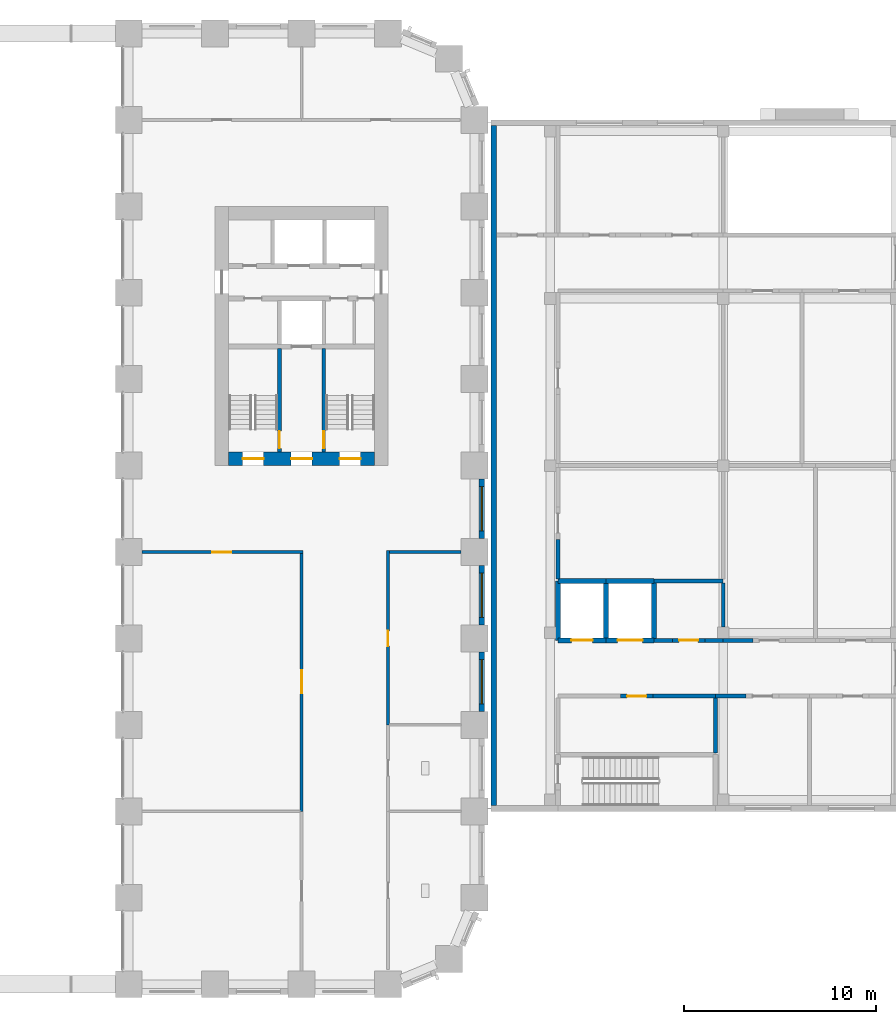
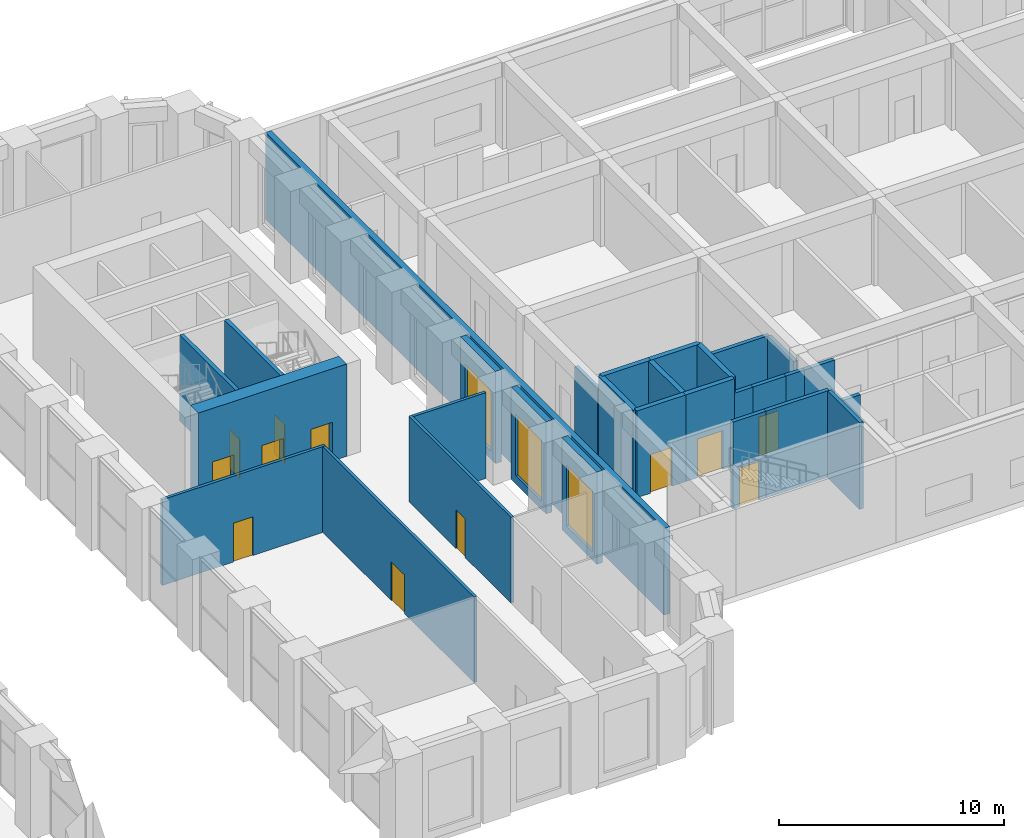
# One storey, part 12 of 25: 29 walls, 12 doors, 3 windows, 15 openings.
"""IFC4 building model written with IfcOpenShell, lengths in metres."""

from ifc_helpers import new_model, si_unit, direction, frame, frame_2d, origin, place, context, subcontext, project, spatial, rectangle, extrude, material, layer, layer_set, type_object, element, fill, save


model = new_model("IFC4")

# Units and contexts
model_context = context("Model", 3, precision=1e-05, world=origin(), true_north=direction((0.0, 1.0)))
body_context = subcontext(model_context, "Body", "Model", "MODEL_VIEW")
ifc_project = project(units=[si_unit("LENGTHUNIT", "METRE"), si_unit("AREAUNIT", "SQUARE_METRE"), si_unit("VOLUMEUNIT", "CUBIC_METRE"), si_unit("PLANEANGLEUNIT", "RADIAN"), si_unit("MASSUNIT", "GRAM", prefix="KILO")], contexts=[model_context])

# Site, building, storey
site_placement = place(None, origin())
site = spatial("IfcSite", under=ifc_project, at=site_placement, CompositionType="ELEMENT")
building_placement = place(site_placement, origin())
building = spatial("IfcBuilding", under=site, at=building_placement, Name="Girih Gate Residences", CompositionType="ELEMENT")
storey_placement = place(building_placement, frame((0.0, 0.0, 6.0)))
storey = spatial("IfcBuildingStorey", under=building, at=storey_placement, Name="L01", CompositionType="ELEMENT", Elevation=6.0)

# Wall, opening, door
ifc_material_1 = material(Name="Gypsum board on steel studs", Category="steel")
ifc_layer_1 = layer(ifc_material_1, 0.14990234375)
ifc_layer_set_1 = layer_set([ifc_layer_1], Name="Compartment wall 150 mm")
wall_type_1 = type_object("IfcWallType", Name="Compartment wall 150 mm", PredefinedType="PARTITIONING", material=ifc_layer_set_1)
wall_1_placement = place(storey_placement, frame((40.574951171875, 22.5, 0.0), z_axis=(0.0, 0.0, 1.0), x_axis=(-1.0, 0.0, 0.0)))
wall_1 = element("IfcWall", 1, at=wall_1_placement, inside=storey, type_object=wall_type_1, Name="L01 partition", PredefinedType="PARTITIONING", context=body_context, shape_type="SweptSolid", body=[
    extrude(rectangle(XDim=8.375, YDim=0.14990234375, at=frame_2d((4.1875, 0.0))), origin(), (0.0, 0.0, 1.0), 4.64990234375),
])
opening_1_placement = place(wall_1_placement, frame((3.72509765625, 0.0, 0.0)))
opening_1 = element("IfcOpeningElement", 2, at=opening_1_placement, cuts=wall_1, Name="Opening D-L01-S-001", PredefinedType="OPENING", context=body_context, shape_type="SweptSolid", body=[
    extrude(rectangle(XDim=1.0, YDim=2.10009765625, at=frame_2d((0.5, 1.050048828125))), frame((0.0, 0.0849609375, 0.0), z_axis=(0.0, -1.0, 0.0), x_axis=(1.0, 0.0, 0.0)), (0.0, 0.0, 1.0), 0.169921875),
])
ifc_material_2 = material(Name="Timber, fire-rated core", Category="wood")
door_type_1 = type_object("IfcDoorType", Name="Amenity door 1000x2100 FD30S", OperationType="SINGLE_SWING_LEFT", PredefinedType="DOOR", material=ifc_material_2)
door_1_placement = place(opening_1_placement, origin())
door_1 = element("IfcDoor", 3, at=door_1_placement, inside=storey, type_object=door_type_1, Name="Door L01-001", OperationType="SINGLE_SWING_RIGHT", OverallHeight=2.10009765625, OverallWidth=1.0, PredefinedType="DOOR", context=body_context, shape_type="SweptSolid", body=[
    extrude(rectangle(XDim=1.0, YDim=2.10009765625, at=frame_2d((0.5, 1.050048828125))), frame((0.0, 0.02490234375, 0.0), z_axis=(0.0, -1.0, 0.0), x_axis=(1.0, 0.0, 0.0)), (0.0, 0.0, 1.0), 0.050048828125),
])
fill(opening_1, door_1)

# Wall
wall_2_placement = place(storey_placement, frame((45.074951171875, 22.5, 0.0), z_axis=(0.0, 0.0, 1.0), x_axis=(1.0, 0.0, 0.0)))
element("IfcWall", 4, at=wall_2_placement, inside=storey, type_object=wall_type_1, Name="L01 partition", PredefinedType="PARTITIONING", context=body_context, shape_type="SweptSolid", body=[
    extrude(rectangle(XDim=3.72509765625, YDim=0.14990234375, at=frame_2d((1.862548828125, 0.0))), origin(), (0.0, 0.0, 1.0), 4.64990234375),
])

# Wall, opening, door
wall_3_placement = place(storey_placement, frame((40.5, 9.0, 0.0), z_axis=(0.0, 0.0, 1.0), x_axis=(0.0, 1.0, 0.0)))
wall_3 = element("IfcWall", 5, at=wall_3_placement, inside=storey, type_object=wall_type_1, Name="L01 partition", PredefinedType="PARTITIONING", context=body_context, shape_type="SweptSolid", body=[
    extrude(rectangle(XDim=13.425048828125, YDim=0.14990234375, at=frame_2d((6.71240234375, 0.0))), origin(), (0.0, 0.0, 1.0), 4.64990234375),
])
opening_2_placement = place(wall_3_placement, frame((6.14990234375, 0.0, 0.0)))
opening_2 = element("IfcOpeningElement", 6, at=opening_2_placement, cuts=wall_3, Name="Opening D-L01-S-005", PredefinedType="OPENING", context=body_context, shape_type="SweptSolid", body=[
    extrude(rectangle(XDim=1.199951171875, YDim=2.10009765625, at=frame_2d((0.60009765625, 1.050048828125))), frame((0.0, 0.0849609375, 0.0), z_axis=(0.0, -1.0, 0.0), x_axis=(1.0, 0.0, 0.0)), (0.0, 0.0, 1.0), 0.169921875),
])
door_type_2 = type_object("IfcDoorType", Name="Gallery fire door 1200x2100 FD30S", OperationType="SINGLE_SWING_LEFT", PredefinedType="DOOR", material=ifc_material_2)
door_2_placement = place(opening_2_placement, origin())
door_2 = element("IfcDoor", 7, at=door_2_placement, inside=storey, type_object=door_type_2, Name="Door L01-005", OperationType="SINGLE_SWING_RIGHT", OverallHeight=2.10009765625, OverallWidth=1.199951171875, PredefinedType="DOOR", context=body_context, shape_type="SweptSolid", body=[
    extrude(rectangle(XDim=1.199951171875, YDim=2.10009765625, at=frame_2d((0.60009765625, 1.050048828125))), frame((0.0, 0.02490234375, 0.0), z_axis=(0.0, -1.0, 0.0), x_axis=(1.0, 0.0, 0.0)), (0.0, 0.0, 1.0), 0.050048828125),
])
fill(opening_2, door_2)

wall_4_placement = place(storey_placement, frame((45.0, 22.574951171875, 0.0), z_axis=(0.0, 0.0, 1.0), x_axis=(0.0, -1.0, 0.0)))
wall_4 = element("IfcWall", 8, at=wall_4_placement, inside=storey, type_object=wall_type_1, Name="L01 partition", PredefinedType="PARTITIONING", context=body_context, shape_type="SweptSolid", body=[
    extrude(rectangle(XDim=9.074951171875, YDim=0.14990234375, at=frame_2d((4.53759765625, 0.0))), origin(), (0.0, 0.0, 1.0), 4.64990234375),
])
opening_3_placement = place(wall_4_placement, frame((4.175048828125, 0.0, 0.0)))
opening_3 = element("IfcOpeningElement", 9, at=opening_3_placement, cuts=wall_4, Name="Opening D-L01-S-008", PredefinedType="OPENING", context=body_context, shape_type="SweptSolid", body=[
    extrude(rectangle(XDim=0.800048828125, YDim=2.10009765625, at=frame_2d((0.39990234375, 1.050048828125))), frame((0.0, 0.0849609375, 0.0), z_axis=(0.0, -1.0, 0.0), x_axis=(1.0, 0.0, 0.0)), (0.0, 0.0, 1.0), 0.169921875),
])
ifc_material_3 = material(Name="Timber", Category="wood")
door_type_3 = type_object("IfcDoorType", Name="WC and store door 800x2100", OperationType="SINGLE_SWING_LEFT", PredefinedType="DOOR", material=ifc_material_3)
door_3_placement = place(opening_3_placement, origin())
door_3 = element("IfcDoor", 10, at=door_3_placement, inside=storey, type_object=door_type_3, Name="Door L01-008", OperationType="SINGLE_SWING_RIGHT", OverallHeight=2.10009765625, OverallWidth=0.800048828125, PredefinedType="DOOR", context=body_context, shape_type="SweptSolid", body=[
    extrude(rectangle(XDim=0.800048828125, YDim=2.10009765625, at=frame_2d((0.39990234375, 1.050048828125))), frame((0.0, 0.02490234375, 0.0), z_axis=(0.0, -1.0, 0.0), x_axis=(1.0, 0.0, 0.0)), (0.0, 0.0, 1.0), 0.050048828125),
])
fill(opening_3, door_3)

# Wall, openings, doors
ifc_material_4 = material(Name="Concrete C60/75", Category="concrete")
ifc_layer_2 = layer(ifc_material_4, 0.699951171875)
ifc_layer_set_2 = layer_set([ifc_layer_2], Name="Core wall RC 700 Concrete C60/75")
wall_type_2 = type_object("IfcWallType", Name="Core wall RC 700 Concrete C60/75", PredefinedType="SOLIDWALL", material=ifc_layer_set_2)
wall_5_placement = place(storey_placement, frame((36.699951171875, 27.35009765625, 0.0), z_axis=(0.0, 0.0, 1.0), x_axis=(1.0, 0.0, 0.0)))
wall_5 = element("IfcWall", 11, at=wall_5_placement, inside=storey, type_object=wall_type_2, Name="Core wall E-S L01", PredefinedType="SOLIDWALL", context=body_context, shape_type="SweptSolid", body=[
    extrude(rectangle(XDim=7.60009765625, YDim=0.699951171875, at=frame_2d((3.800048828125, 0.0))), origin(), (0.0, 0.0, 1.0), 5.0),
])
opening_4_placement = place(wall_5_placement, frame((5.77490234375, 0.0, 0.0)))
opening_4 = element("IfcOpeningElement", 12, at=opening_4_placement, cuts=wall_5, Name="Opening D-L01-E-010", PredefinedType="OPENING", context=body_context, shape_type="SweptSolid", body=[
    extrude(rectangle(XDim=1.10009765625, YDim=2.10009765625, at=frame_2d((0.550048828125, 1.050048828125))), frame((0.0, 0.35986328125, 0.0), z_axis=(0.0, -1.0, 0.0), x_axis=(1.0, 0.0, 0.0)), (0.0, 0.0, 1.0), 0.719970703125),
])
opening_5_placement = place(wall_5_placement, frame((3.25, 0.0, 0.0)))
opening_5 = element("IfcOpeningElement", 13, at=opening_5_placement, cuts=wall_5, Name="Opening D-L01-E-011", PredefinedType="OPENING", context=body_context, shape_type="SweptSolid", body=[
    extrude(rectangle(XDim=1.10009765625, YDim=2.10009765625, at=frame_2d((0.550048828125, 1.050048828125))), frame((0.0, 0.35986328125, 0.0), z_axis=(0.0, -1.0, 0.0), x_axis=(1.0, 0.0, 0.0)), (0.0, 0.0, 1.0), 0.719970703125),
])
opening_6_placement = place(wall_5_placement, frame((0.72509765625, 0.0, 0.0)))
opening_6 = element("IfcOpeningElement", 14, at=opening_6_placement, cuts=wall_5, Name="Opening D-L01-E-012", PredefinedType="OPENING", context=body_context, shape_type="SweptSolid", body=[
    extrude(rectangle(XDim=1.10009765625, YDim=2.10009765625, at=frame_2d((0.550048828125, 1.050048828125))), frame((0.0, 0.35986328125, 0.0), z_axis=(0.0, -1.0, 0.0), x_axis=(1.0, 0.0, 0.0)), (0.0, 0.0, 1.0), 0.719970703125),
])
ifc_material_5 = material(Name="Painted steel, fire-resisting", Category="steel")
door_type_4 = type_object("IfcDoorType", Name="Fire door 1100x2100", OperationType="SINGLE_SWING_LEFT", PredefinedType="DOOR", material=ifc_material_5)
door_4_placement = place(opening_4_placement, origin())
door_4 = element("IfcDoor", 15, at=door_4_placement, inside=storey, type_object=door_type_4, Name="L01 E core door sta-out", OperationType="SINGLE_SWING_LEFT", OverallHeight=2.10009765625, OverallWidth=1.10009765625, PredefinedType="DOOR", context=body_context, shape_type="SweptSolid", body=[
    extrude(rectangle(XDim=1.10009765625, YDim=2.10009765625, at=frame_2d((0.550048828125, 1.050048828125))), frame((0.0, 0.02490234375, 0.0), z_axis=(0.0, -1.0, 0.0), x_axis=(1.0, 0.0, 0.0)), (0.0, 0.0, 1.0), 0.050048828125),
])
fill(opening_4, door_4)
door_5_placement = place(opening_5_placement, origin())
door_5 = element("IfcDoor", 16, at=door_5_placement, inside=storey, type_object=door_type_4, Name="L01 E core door ffl-out", OperationType="SINGLE_SWING_LEFT", OverallHeight=2.10009765625, OverallWidth=1.10009765625, PredefinedType="DOOR", context=body_context, shape_type="SweptSolid", body=[
    extrude(rectangle(XDim=1.10009765625, YDim=2.10009765625, at=frame_2d((0.550048828125, 1.050048828125))), frame((0.0, 0.02490234375, 0.0), z_axis=(0.0, -1.0, 0.0), x_axis=(1.0, 0.0, 0.0)), (0.0, 0.0, 1.0), 0.050048828125),
])
fill(opening_5, door_5)
door_6_placement = place(opening_6_placement, origin())
door_6 = element("IfcDoor", 17, at=door_6_placement, inside=storey, type_object=door_type_4, Name="L01 E core door stb-out", OperationType="SINGLE_SWING_LEFT", OverallHeight=2.10009765625, OverallWidth=1.10009765625, PredefinedType="DOOR", context=body_context, shape_type="SweptSolid", body=[
    extrude(rectangle(XDim=1.10009765625, YDim=2.10009765625, at=frame_2d((0.550048828125, 1.050048828125))), frame((0.0, 0.02490234375, 0.0), z_axis=(0.0, -1.0, 0.0), x_axis=(1.0, 0.0, 0.0)), (0.0, 0.0, 1.0), 0.050048828125),
])
fill(opening_6, door_6)

# Wall, opening, door
ifc_material_6 = material(Name="Fire-rated gypsum partition")
ifc_layer_3 = layer(ifc_material_6, 0.199951171875)
ifc_layer_set_3 = layer_set([ifc_layer_3], Name="HC Corridor wall 200 EI 60")
wall_type_3 = type_object("IfcWallType", Name="HC Corridor wall 200 EI 60", PredefinedType="PARTITIONING", material=ifc_layer_set_3)
wall_6_placement = place(storey_placement, frame((58.800048828125, 15.0, 0.0), z_axis=(0.0, 0.0, 1.0), x_axis=(-1.0, 0.0, 0.0)))
wall_6 = element("IfcWall", 18, at=wall_6_placement, inside=storey, type_object=wall_type_3, Name="L01 wall x15.00/57.1", PredefinedType="PARTITIONING", context=body_context, shape_type="SweptSolid", body=[
    extrude(rectangle(XDim=1.699951171875, YDim=0.199951171875, at=frame_2d((0.85009765625, 0.0))), origin(), (0.0, 0.0, 1.0), 4.699951171875),
])
opening_7_placement = place(wall_6_placement, frame((0.35009765625, 0.0, 0.0)))
opening_7 = element("IfcOpeningElement", 19, at=opening_7_placement, cuts=wall_6, Name="Opening HC-L01-D07", PredefinedType="OPENING", context=body_context, shape_type="SweptSolid", body=[
    extrude(rectangle(XDim=1.0, YDim=2.10009765625, at=frame_2d((0.5, 1.050048828125))), frame((0.0, 0.10986328125, 0.0), z_axis=(0.0, -1.0, 0.0), x_axis=(1.0, 0.0, 0.0)), (0.0, 0.0, 1.0), 0.219970703125),
])
ifc_material_7 = material(Name="Timber door set", Category="wood")
door_type_5 = type_object("IfcDoorType", Name="HC Door 1000x2100 FD30S", OperationType="NOTDEFINED", PredefinedType="DOOR", material=ifc_material_7)
door_7_placement = place(opening_7_placement, origin())
door_7 = element("IfcDoor", 20, at=door_7_placement, inside=storey, type_object=door_type_5, Name="L01 Cleaners store door", OperationType="SINGLE_SWING_RIGHT", OverallHeight=2.10009765625, OverallWidth=1.0, PredefinedType="DOOR", context=body_context, shape_type="SweptSolid", body=[
    extrude(rectangle(XDim=1.0, YDim=2.10009765625, at=frame_2d((0.5, 1.050048828125))), frame((0.0, 0.02490234375, 0.0), z_axis=(0.0, -1.0, 0.0), x_axis=(1.0, 0.0, 0.0)), (0.0, 0.0, 1.0), 0.050048828125),
])
fill(opening_7, door_7)

# Walls
wall_7_placement = place(storey_placement, frame((58.800048828125, 15.0, 0.0), z_axis=(0.0, 0.0, 1.0), x_axis=(1.0, 0.0, 0.0)))
element("IfcWall", 21, at=wall_7_placement, inside=storey, type_object=wall_type_3, Name="L01 wall x15.00/58.8", PredefinedType="PARTITIONING", context=body_context, shape_type="SweptSolid", body=[
    extrude(rectangle(XDim=3.25, YDim=0.199951171875, at=frame_2d((1.625, 0.0))), origin(), (0.0, 0.0, 1.0), 4.699951171875),
])
wall_8_placement = place(storey_placement, frame((62.050048828125, 15.0, 0.0), z_axis=(0.0, 0.0, 1.0), x_axis=(1.0, 0.0, 0.0)))
element("IfcWall", 22, at=wall_8_placement, inside=storey, type_object=wall_type_3, Name="L01 wall x15.00/62.0", PredefinedType="PARTITIONING", context=body_context, shape_type="SweptSolid", body=[
    extrude(rectangle(XDim=1.599853515625, YDim=0.199951171875, at=frame_2d((0.7998046875, 0.0))), origin(), (0.0, 0.0, 1.0), 3.89990234375),
])
wall_9_placement = place(storey_placement, frame((58.85009765625, 17.89990234375, 0.0), z_axis=(0.0, 0.0, 1.0), x_axis=(1.0, 0.0, 0.0)))
element("IfcWall", 23, at=wall_9_placement, inside=storey, type_object=wall_type_3, Name="L01 wall x17.90/58.9", PredefinedType="PARTITIONING", context=body_context, shape_type="SweptSolid", body=[
    extrude(rectangle(XDim=0.949951171875, YDim=0.199951171875, at=frame_2d((0.47509765625, 0.0))), origin(), (0.0, 0.0, 1.0), 3.89990234375),
])

# Wall, opening, door
wall_10_placement = place(storey_placement, frame((59.800048828125, 17.89990234375, 0.0), z_axis=(0.0, 0.0, 1.0), x_axis=(1.0, 0.0, 0.0)))
wall_10 = element("IfcWall", 24, at=wall_10_placement, inside=storey, type_object=wall_type_3, Name="L01 wall x17.90/59.8", PredefinedType="PARTITIONING", context=body_context, shape_type="SweptSolid", body=[
    extrude(rectangle(XDim=1.699951171875, YDim=0.199951171875, at=frame_2d((0.85009765625, 0.0))), origin(), (0.0, 0.0, 1.0), 3.89990234375),
])
opening_8_placement = place(wall_10_placement, frame((0.35009765625, 0.0, 0.0)))
opening_8 = element("IfcOpeningElement", 25, at=opening_8_placement, cuts=wall_10, Name="Opening HC-L01-D14", PredefinedType="OPENING", context=body_context, shape_type="SweptSolid", body=[
    extrude(rectangle(XDim=1.0, YDim=2.10009765625, at=frame_2d((0.5, 1.050048828125))), frame((0.0, 0.10986328125, 0.0), z_axis=(0.0, -1.0, 0.0), x_axis=(1.0, 0.0, 0.0)), (0.0, 0.0, 1.0), 0.219970703125),
])
ifc_material_8 = material(Name="Steel door set", Category="steel")
door_type_6 = type_object("IfcDoorType", Name="HC Door 1000x2100 FD60", OperationType="NOTDEFINED", PredefinedType="DOOR", material=ifc_material_8)
door_8_placement = place(opening_8_placement, origin())
door_8 = element("IfcDoor", 26, at=door_8_placement, inside=storey, type_object=door_type_6, Name="L01 Communications riser door", OperationType="SINGLE_SWING_RIGHT", OverallHeight=2.10009765625, OverallWidth=1.0, PredefinedType="DOOR", context=body_context, shape_type="SweptSolid", body=[
    extrude(rectangle(XDim=1.0, YDim=2.10009765625, at=frame_2d((0.5, 1.050048828125))), frame((0.0, 0.02490234375, 0.0), z_axis=(0.0, -1.0, 0.0), x_axis=(1.0, 0.0, 0.0)), (0.0, 0.0, 1.0), 0.050048828125),
])
fill(opening_8, door_8)

# Walls
wall_11_placement = place(storey_placement, frame((61.5, 17.89990234375, 0.0), z_axis=(0.0, 0.0, 1.0), x_axis=(1.0, 0.0, 0.0)))
element("IfcWall", 27, at=wall_11_placement, inside=storey, type_object=wall_type_3, Name="L01 wall x17.90/61.5", PredefinedType="PARTITIONING", context=body_context, shape_type="SweptSolid", body=[
    extrude(rectangle(XDim=0.949951171875, YDim=0.199951171875, at=frame_2d((0.47509765625, 0.0))), origin(), (0.0, 0.0, 1.0), 3.89990234375),
])
wall_12_placement = place(storey_placement, frame((62.449951171875, 17.89990234375, 0.0), z_axis=(0.0, 0.0, 1.0), x_axis=(1.0, 0.0, 0.0)))
element("IfcWall", 28, at=wall_12_placement, inside=storey, type_object=wall_type_3, Name="L01 wall x17.90/62.5", PredefinedType="PARTITIONING", context=body_context, shape_type="SweptSolid", body=[
    extrude(rectangle(XDim=1.550048828125, YDim=0.199951171875, at=frame_2d((0.77490234375, 0.0))), origin(), (0.0, 0.0, 1.0), 3.89990234375),
])
wall_13_placement = place(storey_placement, frame((58.85009765625, 21.0, 0.0), z_axis=(0.0, 0.0, 1.0), x_axis=(1.0, 0.0, 0.0)))
element("IfcWall", 29, at=wall_13_placement, inside=storey, type_object=wall_type_3, Name="L01 wall x21.00/58.9", PredefinedType="PARTITIONING", context=body_context, shape_type="SweptSolid", body=[
    extrude(rectangle(XDim=3.599853515625, YDim=0.199951171875, at=frame_2d((1.7998046875, 0.0))), origin(), (0.0, 0.0, 1.0), 3.89990234375),
])
wall_14_placement = place(storey_placement, frame((53.85009765625, 21.10009765625, 0.0), z_axis=(0.0, 0.0, 1.0), x_axis=(0.0, 1.0, 0.0)))
element("IfcWall", 30, at=wall_14_placement, inside=storey, type_object=wall_type_3, Name="L01 wall y53.85/21.1", PredefinedType="PARTITIONING", context=body_context, shape_type="SweptSolid", body=[
    extrude(rectangle(XDim=2.0498046875, YDim=0.199951171875, at=frame_2d((1.02490234375, 0.0))), origin(), (0.0, 0.0, 1.0), 3.89990234375),
])
wall_15_placement = place(storey_placement, frame((62.449951171875, 18.60009765625, 0.0), z_axis=(0.0, 0.0, 1.0), x_axis=(0.0, 1.0, 0.0)))
element("IfcWall", 31, at=wall_15_placement, inside=storey, type_object=wall_type_3, Name="L01 wall y62.45/18.6", PredefinedType="PARTITIONING", context=body_context, shape_type="SweptSolid", body=[
    extrude(rectangle(XDim=2.2998046875, YDim=0.199951171875, at=frame_2d((1.14990234375, 0.0))), origin(), (0.0, 0.0, 1.0), 3.89990234375),
])
ifc_material_9 = material(Name="Precast concrete C40/50", Category="concrete")
ifc_layer_4 = layer(ifc_material_9, 0.300048828125)
ifc_layer_set_4 = layer_set([ifc_layer_4], Name="HC Facade wall 300")
wall_type_4 = type_object("IfcWallType", Name="HC Facade wall 300", PredefinedType="SOLIDWALL", material=ifc_layer_set_4)
wall_16_placement = place(storey_placement, frame((50.5, 9.300048828125, 0.0), z_axis=(0.0, 0.0, 1.0), x_axis=(0.0, 1.0, 0.0)))
element("IfcWall", 32, at=wall_16_placement, inside=storey, type_object=wall_type_4, Name="L01 west facade wall", PredefinedType="SOLIDWALL", context=body_context, shape_type="SweptSolid", body=[
    extrude(rectangle(XDim=35.39990234375, YDim=0.300048828125, at=frame_2d((17.699951171875, 0.0))), origin(), (0.0, 0.0, 1.0), 4.699951171875),
])
ifc_material_10 = material(Name="Gypsum partition")
ifc_layer_5 = layer(ifc_material_10, 0.199951171875)
ifc_layer_set_5 = layer_set([ifc_layer_5], Name="HC Room partition 200 EI 30")
wall_type_5 = type_object("IfcWallType", Name="HC Room partition 200 EI 30", PredefinedType="PARTITIONING", material=ifc_layer_set_5)
wall_17_placement = place(storey_placement, frame((62.050048828125, 12.050048828125, 0.0), z_axis=(0.0, 0.0, 1.0), x_axis=(0.0, 1.0, 0.0)))
element("IfcWall", 33, at=wall_17_placement, inside=storey, type_object=wall_type_5, Name="L01 wall y62.05/12.1", PredefinedType="PARTITIONING", context=body_context, shape_type="SweptSolid", body=[
    extrude(rectangle(XDim=2.849853515625, YDim=0.199951171875, at=frame_2d((1.4248046875, 0.0))), origin(), (0.0, 0.0, 1.0), 4.699951171875),
])

# Wall, opening, door
ifc_material_11 = material(Name="Concrete C40/50", Category="concrete")
ifc_layer_6 = layer(ifc_material_11, 0.25)
ifc_layer_set_6 = layer_set([ifc_layer_6], Name="HC Shaft wall 250 C40/50")
wall_type_6 = type_object("IfcWallType", Name="HC Shaft wall 250 C40/50", PredefinedType="SHEAR", material=ifc_layer_set_6)
wall_18_placement = place(storey_placement, frame((56.35009765625, 17.89990234375, 0.0), z_axis=(0.0, 0.0, 1.0), x_axis=(-1.0, 0.0, 0.0)))
wall_18 = element("IfcWall", 34, at=wall_18_placement, inside=storey, type_object=wall_type_6, Name="L01 wall x17.90/53.9", PredefinedType="SHEAR", context=body_context, shape_type="SweptSolid", body=[
    extrude(rectangle(XDim=2.5, YDim=0.25, at=frame_2d((1.25, 0.0))), origin(), (0.0, 0.0, 1.0), 4.699951171875),
])
opening_9_placement = place(wall_18_placement, frame((0.699951171875, 0.0, 0.0)))
opening_9 = element("IfcOpeningElement", 35, at=opening_9_placement, cuts=wall_18, Name="Opening HC-L01-D03", PredefinedType="OPENING", context=body_context, shape_type="SweptSolid", body=[
    extrude(rectangle(XDim=1.10009765625, YDim=2.10009765625, at=frame_2d((0.550048828125, 1.050048828125))), frame((0.0, 0.135009765625, 0.0), z_axis=(0.0, -1.0, 0.0), x_axis=(1.0, 0.0, 0.0)), (0.0, 0.0, 1.0), 0.27001953125),
])
ifc_material_12 = material(Name="Stainless steel door set", Category="steel")
door_type_7 = type_object("IfcDoorType", Name="HC Lift landing door 1100x2100", OperationType="NOTDEFINED", PredefinedType="DOOR", material=ifc_material_12)
door_9_placement = place(opening_9_placement, origin())
door_9 = element("IfcDoor", 36, at=door_9_placement, inside=storey, type_object=door_type_7, Name="L01 Lift 1 landing door", OperationType="SLIDING_TO_RIGHT", OverallHeight=2.10009765625, OverallWidth=1.10009765625, PredefinedType="DOOR", context=body_context, shape_type="SweptSolid", body=[
    extrude(rectangle(XDim=1.10009765625, YDim=2.10009765625, at=frame_2d((0.550048828125, 1.050048828125))), frame((0.0, 0.02490234375, 0.0), z_axis=(0.0, -1.0, 0.0), x_axis=(1.0, 0.0, 0.0)), (0.0, 0.0, 1.0), 0.050048828125),
])
fill(opening_9, door_9)

wall_19_placement = place(storey_placement, frame((58.85009765625, 17.89990234375, 0.0), z_axis=(0.0, 0.0, 1.0), x_axis=(-1.0, 0.0, 0.0)))
wall_19 = element("IfcWall", 37, at=wall_19_placement, inside=storey, type_object=wall_type_6, Name="L01 wall x17.90/56.4", PredefinedType="SHEAR", context=body_context, shape_type="SweptSolid", body=[
    extrude(rectangle(XDim=2.5, YDim=0.25, at=frame_2d((1.25, 0.0))), origin(), (0.0, 0.0, 1.0), 4.699951171875),
])
opening_10_placement = place(wall_19_placement, frame((0.60009765625, 0.0, 0.0)))
opening_10 = element("IfcOpeningElement", 38, at=opening_10_placement, cuts=wall_19, Name="Opening HC-L01-D04", PredefinedType="OPENING", context=body_context, shape_type="SweptSolid", body=[
    extrude(rectangle(XDim=1.300048828125, YDim=2.10009765625, at=frame_2d((0.64990234375, 1.050048828125))), frame((0.0, 0.135009765625, 0.0), z_axis=(0.0, -1.0, 0.0), x_axis=(1.0, 0.0, 0.0)), (0.0, 0.0, 1.0), 0.27001953125),
])
door_type_8 = type_object("IfcDoorType", Name="HC Bed lift landing door 1300x2100", OperationType="NOTDEFINED", PredefinedType="DOOR", material=ifc_material_12)
door_10_placement = place(opening_10_placement, origin())
door_10 = element("IfcDoor", 39, at=door_10_placement, inside=storey, type_object=door_type_8, Name="L01 Lift 2 landing door", OperationType="SLIDING_TO_LEFT", OverallHeight=2.10009765625, OverallWidth=1.300048828125, PredefinedType="DOOR", context=body_context, shape_type="SweptSolid", body=[
    extrude(rectangle(XDim=1.300048828125, YDim=2.10009765625, at=frame_2d((0.64990234375, 1.050048828125))), frame((0.0, 0.02490234375, 0.0), z_axis=(0.0, -1.0, 0.0), x_axis=(1.0, 0.0, 0.0)), (0.0, 0.0, 1.0), 0.050048828125),
])
fill(opening_10, door_10)

# Walls
for number, where, z_axis, x_axis, name in (
    (40, (53.85009765625, 21.0, 0.0), (0.0, 0.0, 1.0), (1.0, 0.0, 0.0), "L01 wall x21.00/53.9"),
    (41, (56.35009765625, 21.0, 0.0), (0.0, 0.0, 1.0), (1.0, 0.0, 0.0), "L01 wall x21.00/56.4"),
):
    element("IfcWall", number, at=place(storey_placement, frame(where, z_axis=z_axis, x_axis=x_axis)), inside=storey, type_object=wall_type_6, Name=name, PredefinedType="SHEAR", context=body_context, shape_type="SweptSolid", body=[
        extrude(rectangle(XDim=2.5, YDim=0.25, at=frame_2d((1.25, 0.0))), origin(), (0.0, 0.0, 1.0), 4.699951171875),
    ])
for number, where, z_axis, x_axis, name in (
    (42, (53.85009765625, 17.89990234375, 0.0), (0.0, 0.0, 1.0), (0.0, 1.0, 0.0), "L01 wall y53.85/17.9"),
    (43, (56.35009765625, 17.89990234375, 0.0), (0.0, 0.0, 1.0), (0.0, 1.0, 0.0), "L01 wall y56.35/17.9"),
    (44, (58.85009765625, 17.89990234375, 0.0), (0.0, 0.0, 1.0), (0.0, 1.0, 0.0), "L01 wall y58.85/17.9"),
):
    element("IfcWall", number, at=place(storey_placement, frame(where, z_axis=z_axis, x_axis=x_axis)), inside=storey, type_object=wall_type_6, Name=name, PredefinedType="SHEAR", context=body_context, shape_type="SweptSolid", body=[
        extrude(rectangle(XDim=3.10009765625, YDim=0.25, at=frame_2d((1.550048828125, 0.0))), origin(), (0.0, 0.0, 1.0), 4.699951171875),
    ])

# Wall, opening, window
ifc_material_13 = material(Name="Precast concrete C50/60", Category="concrete")
ifc_layer_7 = layer(ifc_material_13, 0.080078125, Name="Outer leaf")
ifc_material_14 = material(Name="Rigid PIR insulation")
ifc_layer_8 = layer(ifc_material_14, 0.14990234375, Name="Insulation")
ifc_layer_9 = layer(ifc_material_9, 0.070068359375, Name="Inner leaf")
ifc_layer_set_7 = layer_set([ifc_layer_7, ifc_layer_8, ifc_layer_9], Name="Precast concrete C50/60 external wall 300")
wall_type_7 = type_object("IfcWallType", Name="Precast concrete C50/60 external wall 300", PredefinedType="SOLIDWALL", material=ifc_layer_set_7)
wall_20_placement = place(storey_placement, frame((49.875, 17.300048828125, 0.0), z_axis=(0.0, 0.0, 1.0), x_axis=(0.0, -1.0, 0.0)))
wall_20 = element("IfcWall", 45, at=wall_20_placement, inside=storey, type_object=wall_type_7, Name="External wall E0495_0045.2", PredefinedType="SOLIDWALL", context=body_context, shape_type="SweptSolid", body=[
    extrude(rectangle(XDim=3.10009765625, YDim=0.300048828125, at=frame_2d((1.550048828125, 0.0))), origin(), (0.0, 0.0, 1.0), 5.0),
])
opening_11_placement = place(wall_20_placement, frame((0.39990234375, 0.0, 0.449951171875)))
opening_11 = element("IfcOpeningElement", 46, at=opening_11_placement, cuts=wall_20, Name="Opening W-3", PredefinedType="OPENING", context=body_context, shape_type="SweptSolid", body=[
    extrude(rectangle(XDim=2.300048828125, YDim=3.300048828125, at=frame_2d((1.14990234375, 1.64990234375))), frame((0.0, 0.159912109375, 0.0), z_axis=(0.0, -1.0, 0.0), x_axis=(1.0, 0.0, 0.0)), (0.0, 0.0, 1.0), 0.320068359375),
])
ifc_material_15 = material(Name="Double glazing in aluminium frame", Category="aluminium")
window_type = type_object("IfcWindowType", Name="Window W-3 2300x3300", PartitioningType="SINGLE_PANEL", PredefinedType="WINDOW", material=ifc_material_15)
window_1_placement = place(opening_11_placement, origin())
window_1 = element("IfcWindow", 47, at=window_1_placement, inside=storey, type_object=window_type, Name="Window W-3 E0495_0045.2", OverallHeight=3.300048828125, OverallWidth=2.300048828125, PartitioningType="SINGLE_PANEL", PredefinedType="WINDOW", context=body_context, shape_type="SweptSolid", body=[
    extrude(rectangle(XDim=2.300048828125, YDim=3.300048828125, at=frame_2d((1.14990234375, 1.64990234375))), frame((0.0, 0.030029296875, 0.0), z_axis=(0.0, -1.0, 0.0), x_axis=(1.0, 0.0, 0.0)), (0.0, 0.0, 1.0), 0.06005859375),
])
fill(opening_11, window_1)

wall_21_placement = place(storey_placement, frame((49.875, 21.800048828125, 0.0), z_axis=(0.0, 0.0, 1.0), x_axis=(0.0, -1.0, 0.0)))
wall_21 = element("IfcWall", 48, at=wall_21_placement, inside=storey, type_object=wall_type_7, Name="External wall E0495_0045.3", PredefinedType="SOLIDWALL", context=body_context, shape_type="SweptSolid", body=[
    extrude(rectangle(XDim=3.10009765625, YDim=0.300048828125, at=frame_2d((1.550048828125, 0.0))), origin(), (0.0, 0.0, 1.0), 5.0),
])
opening_12_placement = place(wall_21_placement, frame((0.39990234375, 0.0, 0.449951171875)))
opening_12 = element("IfcOpeningElement", 49, at=opening_12_placement, cuts=wall_21, Name="Opening W-3", PredefinedType="OPENING", context=body_context, shape_type="SweptSolid", body=[
    extrude(rectangle(XDim=2.300048828125, YDim=3.300048828125, at=frame_2d((1.14990234375, 1.64990234375))), frame((0.0, 0.159912109375, 0.0), z_axis=(0.0, -1.0, 0.0), x_axis=(1.0, 0.0, 0.0)), (0.0, 0.0, 1.0), 0.320068359375),
])
window_2_placement = place(opening_12_placement, origin())
window_2 = element("IfcWindow", 50, at=window_2_placement, inside=storey, type_object=window_type, Name="Window W-3 E0495_0045.3", OverallHeight=3.300048828125, OverallWidth=2.300048828125, PartitioningType="SINGLE_PANEL", PredefinedType="WINDOW", context=body_context, shape_type="SweptSolid", body=[
    extrude(rectangle(XDim=2.300048828125, YDim=3.300048828125, at=frame_2d((1.14990234375, 1.64990234375))), frame((0.0, 0.030029296875, 0.0), z_axis=(0.0, -1.0, 0.0), x_axis=(1.0, 0.0, 0.0)), (0.0, 0.0, 1.0), 0.06005859375),
])
fill(opening_12, window_2)

wall_22_placement = place(storey_placement, frame((49.875, 26.300048828125, 0.0), z_axis=(0.0, 0.0, 1.0), x_axis=(0.0, -1.0, 0.0)))
wall_22 = element("IfcWall", 51, at=wall_22_placement, inside=storey, type_object=wall_type_7, Name="External wall E0495_0045.4", PredefinedType="SOLIDWALL", context=body_context, shape_type="SweptSolid", body=[
    extrude(rectangle(XDim=3.10009765625, YDim=0.300048828125, at=frame_2d((1.550048828125, 0.0))), origin(), (0.0, 0.0, 1.0), 5.0),
])
opening_13_placement = place(wall_22_placement, frame((0.39990234375, 0.0, 0.449951171875)))
opening_13 = element("IfcOpeningElement", 52, at=opening_13_placement, cuts=wall_22, Name="Opening W-3", PredefinedType="OPENING", context=body_context, shape_type="SweptSolid", body=[
    extrude(rectangle(XDim=2.300048828125, YDim=3.300048828125, at=frame_2d((1.14990234375, 1.64990234375))), frame((0.0, 0.159912109375, 0.0), z_axis=(0.0, -1.0, 0.0), x_axis=(1.0, 0.0, 0.0)), (0.0, 0.0, 1.0), 0.320068359375),
])
window_3_placement = place(opening_13_placement, origin())
window_3 = element("IfcWindow", 53, at=window_3_placement, inside=storey, type_object=window_type, Name="Window W-3 E0495_0045.4", OverallHeight=3.300048828125, OverallWidth=2.300048828125, PartitioningType="SINGLE_PANEL", PredefinedType="WINDOW", context=body_context, shape_type="SweptSolid", body=[
    extrude(rectangle(XDim=2.300048828125, YDim=3.300048828125, at=frame_2d((1.14990234375, 1.64990234375))), frame((0.0, 0.030029296875, 0.0), z_axis=(0.0, -1.0, 0.0), x_axis=(1.0, 0.0, 0.0)), (0.0, 0.0, 1.0), 0.06005859375),
])
fill(opening_13, window_3)

# Wall, opening, door
ifc_layer_10 = layer(ifc_material_11, 0.199951171875)
ifc_layer_set_8 = layer_set([ifc_layer_10], Name="Shaft wall 200")
wall_type_8 = type_object("IfcWallType", Name="Shaft wall 200", PredefinedType="SOLIDWALL", material=ifc_layer_set_8)
wall_23_placement = place(storey_placement, frame((41.64990234375, 27.699951171875, 0.0), z_axis=(0.0, 0.0, 1.0), x_axis=(0.0, 1.0, 0.0)))
wall_23 = element("IfcWall", 54, at=wall_23_placement, inside=storey, type_object=wall_type_8, Name="L01 E core wall V1a", PredefinedType="SOLIDWALL", context=body_context, shape_type="SweptSolid", body=[
    extrude(rectangle(XDim=5.400146484375, YDim=0.199951171875, at=frame_2d((2.7001953125, 0.0))), origin(), (0.0, 0.0, 1.0), 4.64990234375),
])
opening_14_placement = place(wall_23_placement, frame((0.199951171875, 0.0, 0.0)))
opening_14 = element("IfcOpeningElement", 55, at=opening_14_placement, cuts=wall_23, Name="Opening D-L01-E-001", PredefinedType="OPENING", context=body_context, shape_type="SweptSolid", body=[
    extrude(rectangle(XDim=0.89990234375, YDim=2.10009765625, at=frame_2d((0.449951171875, 1.050048828125))), frame((0.0, 0.10986328125, 0.0), z_axis=(0.0, -1.0, 0.0), x_axis=(1.0, 0.0, 0.0)), (0.0, 0.0, 1.0), 0.219970703125),
])
door_type_9 = type_object("IfcDoorType", Name="Fire door 900x2100", OperationType="SINGLE_SWING_LEFT", PredefinedType="DOOR", material=ifc_material_5)
door_11_placement = place(opening_14_placement, origin())
door_11 = element("IfcDoor", 56, at=door_11_placement, inside=storey, type_object=door_type_9, Name="L01 E door stair 1 to firefighting lobby", OperationType="SINGLE_SWING_LEFT", OverallHeight=2.10009765625, OverallWidth=0.89990234375, PredefinedType="DOOR", context=body_context, shape_type="SweptSolid", body=[
    extrude(rectangle(XDim=0.89990234375, YDim=2.10009765625, at=frame_2d((0.449951171875, 1.050048828125))), frame((0.0, 0.02490234375, 0.0), z_axis=(0.0, -1.0, 0.0), x_axis=(1.0, 0.0, 0.0)), (0.0, 0.0, 1.0), 0.050048828125),
])
fill(opening_14, door_11)

wall_24_placement = place(storey_placement, frame((39.35009765625, 27.699951171875, 0.0), z_axis=(0.0, 0.0, 1.0), x_axis=(0.0, 1.0, 0.0)))
wall_24 = element("IfcWall", 57, at=wall_24_placement, inside=storey, type_object=wall_type_8, Name="L01 E core wall V2a", PredefinedType="SOLIDWALL", context=body_context, shape_type="SweptSolid", body=[
    extrude(rectangle(XDim=5.400146484375, YDim=0.199951171875, at=frame_2d((2.7001953125, 0.0))), origin(), (0.0, 0.0, 1.0), 4.64990234375),
])
opening_15_placement = place(wall_24_placement, frame((0.199951171875, 0.0, 0.0)))
opening_15 = element("IfcOpeningElement", 58, at=opening_15_placement, cuts=wall_24, Name="Opening D-L01-E-002", PredefinedType="OPENING", context=body_context, shape_type="SweptSolid", body=[
    extrude(rectangle(XDim=0.89990234375, YDim=2.10009765625, at=frame_2d((0.449951171875, 1.050048828125))), frame((0.0, 0.10986328125, 0.0), z_axis=(0.0, -1.0, 0.0), x_axis=(1.0, 0.0, 0.0)), (0.0, 0.0, 1.0), 0.219970703125),
])
door_12_placement = place(opening_15_placement, origin())
door_12 = element("IfcDoor", 59, at=door_12_placement, inside=storey, type_object=door_type_9, Name="L01 E door stair 2 to firefighting lobby", OperationType="SINGLE_SWING_LEFT", OverallHeight=2.10009765625, OverallWidth=0.89990234375, PredefinedType="DOOR", context=body_context, shape_type="SweptSolid", body=[
    extrude(rectangle(XDim=0.89990234375, YDim=2.10009765625, at=frame_2d((0.449951171875, 1.050048828125))), frame((0.0, 0.02490234375, 0.0), z_axis=(0.0, -1.0, 0.0), x_axis=(1.0, 0.0, 0.0)), (0.0, 0.0, 1.0), 0.050048828125),
])
fill(opening_15, door_12)

save(model, "model.ifc")
